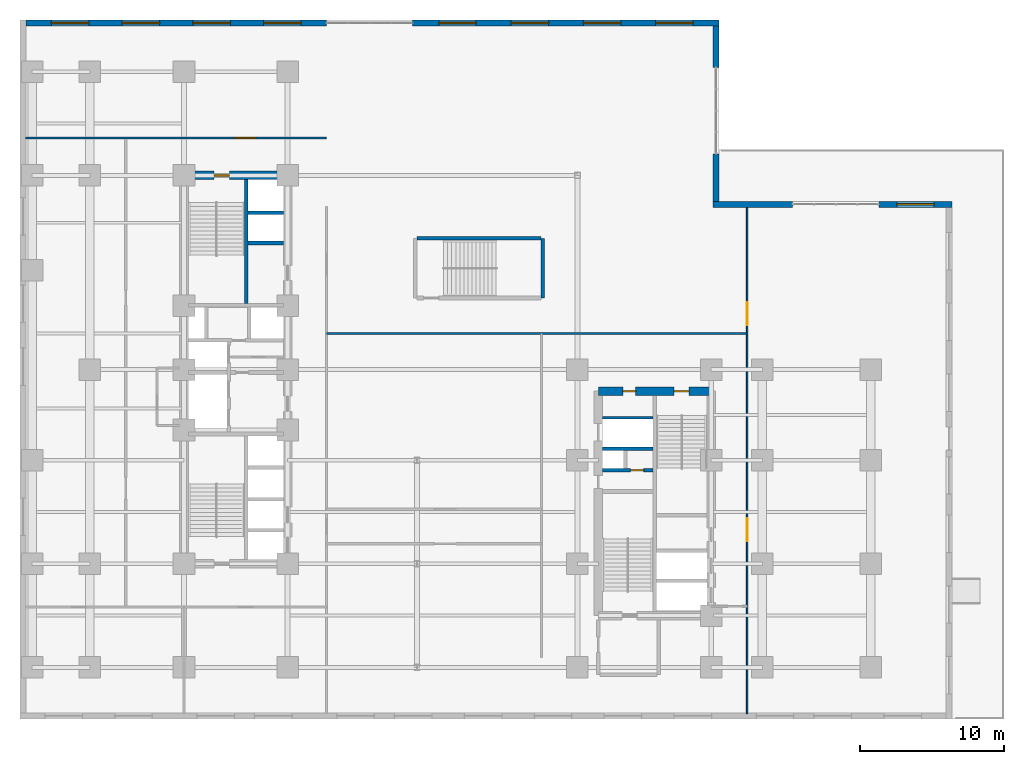
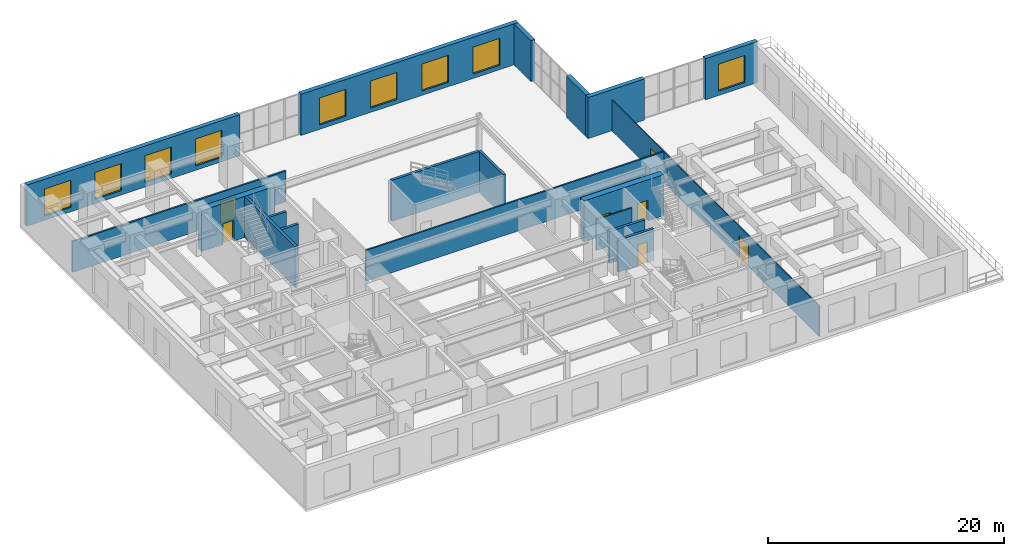
# One storey, part 10 of 15: 19 walls, 9 windows, 7 doors, 16 openings.
"""IFC4 building model written with IfcOpenShell, lengths in metres."""

from ifc_helpers import new_model, entity, si_unit, converted_unit, direction, frame, origin_with_axes, origin_2d_with_axis, place, context, subcontext, project, spatial, polyline, rectangle, outline, extrude, material, layer, layer_set, type_object, element, fill, save


model = new_model("IFC4")

# Units and contexts
model_context = context("Model", 3, precision=1e-05, world=origin_with_axes(), true_north=direction((0.0, 1.0)))
body_context = subcontext(model_context, "Body", "Model", "MODEL_VIEW")
ifc_project = project(units=[si_unit("LENGTHUNIT", "METRE"), si_unit("AREAUNIT", "SQUARE_METRE"), si_unit("VOLUMEUNIT", "CUBIC_METRE"), converted_unit("PLANEANGLEUNIT", "DEGREE", entity("IfcPlaneAngleMeasure", 0.017453292519943295), si_unit("PLANEANGLEUNIT", "RADIAN"), dimensions=[0, 0, 0, 0, 0, 0, 0]), si_unit("MASSUNIT", "GRAM", prefix="KILO"), si_unit("THERMODYNAMICTEMPERATUREUNIT", "KELVIN")], contexts=[model_context])

# Site, building, storey
site_placement = place(None, origin_with_axes())
site = spatial("IfcSite", under=ifc_project, at=site_placement, CompositionType="ELEMENT")
building_placement = place(site_placement, origin_with_axes())
building = spatial("IfcBuilding", under=site, at=building_placement, Name="Varnlund Millrace Tower", CompositionType="ELEMENT")
storey_placement = place(building_placement, frame((0.0, 0.0, 19.8), z_axis=(0.0, 0.0, 1.0), x_axis=(1.0, 0.0, 0.0)))
storey = spatial("IfcBuildingStorey", under=building, at=storey_placement, Name="L04", CompositionType="ELEMENT", Elevation=19.8)

# Wall, opening, door
ifc_material_1 = material(Name="Concrete C80/95", Category="concrete")
ifc_layer_1 = layer(ifc_material_1, 0.6, Name="Concrete C80/95")
ifc_layer_set_1 = layer_set([ifc_layer_1], Name="Concrete C80/95")
wall_type_1 = type_object("IfcWallType", Name="Type-CoreWall-Shear-600-C80", PredefinedType="SHEAR", material=ifc_layer_set_1)
wall_1_placement = place(storey_placement, frame((11.4, 37.8, 0.0), z_axis=(0.0, 0.0, 1.0), x_axis=(1.0, 0.0, 0.0)))
wall_1 = element("IfcWall", 1, at=wall_1_placement, inside=storey, type_object=wall_type_1, Name="Type-CoreWall-Shear-600-C80", PredefinedType="SHEAR", context=body_context, shape_type="SweptSolid", body=[
    extrude(outline(polyline([(0.0, -0.3), (7.2, -0.3), (7.2, 0.3), (0.0, 0.3), (0.0, -0.3)])), origin_with_axes(), (0.0, 0.0, 1.0), 4.26),
])
opening_1_placement = place(wall_1_placement, frame((2.625, 0.0, 0.0), z_axis=(0.0, 0.0, 1.0), x_axis=(1.0, 0.0, 0.0)))
opening_1 = element("IfcOpeningElement", 2, at=opening_1_placement, cuts=wall_1, Name="Opening L04:DR-STA2", PredefinedType="OPENING", context=body_context, shape_type="SweptSolid", body=[
    extrude(rectangle(XDim=1.05, YDim=0.62, at=origin_2d_with_axis()), origin_with_axes(), (0.0, 0.0, 1.0), 2.15),
])
ifc_material_2 = material(Name="Fire-rated hollow steel door", Category="steel")
door_type_1 = type_object("IfcDoorType", Name="Type-FireDoor-Stair-1050X2150", OperationType="NOTDEFINED", PredefinedType="DOOR", material=ifc_material_2)
door_1_placement = place(wall_1_placement, frame((2.625, 0.0, 0.0), z_axis=(0.0, 0.0, 1.0), x_axis=(1.0, 0.0, 0.0)))
door_1 = element("IfcDoor", 3, at=door_1_placement, inside=storey, type_object=door_type_1, Name="Type-FireDoor-Stair-1050X2150", OperationType="SINGLE_SWING_RIGHT", OverallHeight=2.15, OverallWidth=1.05, PredefinedType="DOOR", context=body_context, shape_type="SweptSolid", body=[
    extrude(rectangle(XDim=1.05, YDim=0.09, at=origin_2d_with_axis()), origin_with_axes(), (0.0, 0.0, 1.0), 2.15),
])
fill(opening_1, door_1)

# Wall, openings, doors
wall_2_placement = place(storey_placement, frame((40.2, 22.8, 0.0), z_axis=(0.0, 0.0, 1.0), x_axis=(1.0, 0.0, 0.0)))
wall_2 = element("IfcWall", 4, at=wall_2_placement, inside=storey, type_object=wall_type_1, Name="Type-CoreWall-Shear-600-C80", PredefinedType="SHEAR", context=body_context, shape_type="SweptSolid", body=[
    extrude(outline(polyline([(0.0, -0.3), (7.85, -0.3), (7.85, 0.3), (0.0, 0.3), (0.0, -0.3)])), origin_with_axes(), (0.0, 0.0, 1.0), 4.26),
])
opening_2_placement = place(wall_2_placement, frame((5.775, 0.0, 0.0), z_axis=(0.0, 0.0, 1.0), x_axis=(1.0, 0.0, 0.0)))
opening_2 = element("IfcOpeningElement", 5, at=opening_2_placement, cuts=wall_2, Name="Opening L04:DR-STB2", PredefinedType="OPENING", context=body_context, shape_type="SweptSolid", body=[
    extrude(rectangle(XDim=1.05, YDim=0.62, at=origin_2d_with_axis()), origin_with_axes(), (0.0, 0.0, 1.0), 2.15),
])
opening_3_placement = place(wall_2_placement, frame((2.15, 0.0, 0.0), z_axis=(0.0, 0.0, 1.0), x_axis=(1.0, 0.0, 0.0)))
opening_3 = element("IfcOpeningElement", 6, at=opening_3_placement, cuts=wall_2, Name="Opening L04:DR-CB-NW", PredefinedType="OPENING", context=body_context, shape_type="SweptSolid", body=[
    extrude(rectangle(XDim=0.9, YDim=0.62, at=origin_2d_with_axis()), origin_with_axes(), (0.0, 0.0, 1.0), 2.15),
])
ifc_material_3 = material(Name="Fire-rated hollow steel service closet door", Category="steel")
door_type_2 = type_object("IfcDoorType", Name="Type-FireDoor-Closet-900X2150", OperationType="NOTDEFINED", PredefinedType="DOOR", material=ifc_material_3)
door_2_placement = place(wall_2_placement, frame((2.15, 0.0, 0.0), z_axis=(0.0, 0.0, 1.0), x_axis=(1.0, 0.0, 0.0)))
door_2 = element("IfcDoor", 7, at=door_2_placement, inside=storey, type_object=door_type_2, Name="Type-FireDoor-Closet-900X2150", OperationType="SINGLE_SWING_LEFT", OverallHeight=2.15, OverallWidth=0.9, PredefinedType="DOOR", context=body_context, shape_type="SweptSolid", body=[
    extrude(rectangle(XDim=0.9, YDim=0.09, at=origin_2d_with_axis()), origin_with_axes(), (0.0, 0.0, 1.0), 2.15),
])
fill(opening_3, door_2)
door_3_placement = place(wall_2_placement, frame((5.775, 0.0, 0.0), z_axis=(0.0, 0.0, 1.0), x_axis=(1.0, 0.0, 0.0)))
door_3 = element("IfcDoor", 8, at=door_3_placement, inside=storey, type_object=door_type_1, Name="Type-FireDoor-Stair-1050X2150", OperationType="SINGLE_SWING_RIGHT", OverallHeight=2.15, OverallWidth=1.05, PredefinedType="DOOR", context=body_context, shape_type="SweptSolid", body=[
    extrude(rectangle(XDim=1.05, YDim=0.09, at=origin_2d_with_axis()), origin_with_axes(), (0.0, 0.0, 1.0), 2.15),
])
fill(opening_2, door_3)

# Wall, openings, windows
ifc_material_4 = material(Name="Precast concrete C50/60", Category="concrete")
ifc_layer_2 = layer(ifc_material_4, 0.42, Name="Precast concrete C50/60")
ifc_layer_set_2 = layer_set([ifc_layer_2], Name="Precast concrete C50/60")
wall_type_2 = type_object("IfcWallType", Name="Type-ExtWall-Precast-Pier-420", PredefinedType="SOLIDWALL", material=ifc_layer_set_2)
wall_3_placement = place(storey_placement, frame((0.42, 48.39, 0.0), z_axis=(0.0, 0.0, 1.0), x_axis=(1.0, 0.0, 0.0)))
wall_3 = element("IfcWall", 9, at=wall_3_placement, inside=storey, type_object=wall_type_2, Name="Type-ExtWall-Precast-Pier-420", PredefinedType="SOLIDWALL", context=body_context, shape_type="SweptSolid", body=[
    extrude(outline(polyline([(0.0, -0.21), (20.88, -0.21), (20.88, 0.21), (0.0, 0.21), (0.0, -0.21)])), origin_with_axes(), (0.0, 0.0, 1.0), 4.26),
])
opening_4_placement = place(wall_3_placement, frame((3.06, 0.0, 0.45), z_axis=(0.0, 0.0, 1.0), x_axis=(1.0, 0.0, 0.0)))
opening_4 = element("IfcOpeningElement", 10, at=opening_4_placement, cuts=wall_3, Name="Opening L04:WN-18", PredefinedType="OPENING", context=body_context, shape_type="SweptSolid", body=[
    extrude(rectangle(XDim=2.6, YDim=0.44, at=origin_2d_with_axis()), origin_with_axes(), (0.0, 0.0, 1.0), 2.8),
])
opening_5_placement = place(wall_3_placement, frame((7.98, 0.0, 0.45), z_axis=(0.0, 0.0, 1.0), x_axis=(1.0, 0.0, 0.0)))
opening_5 = element("IfcOpeningElement", 11, at=opening_5_placement, cuts=wall_3, Name="Opening L04:WN-19", PredefinedType="OPENING", context=body_context, shape_type="SweptSolid", body=[
    extrude(rectangle(XDim=2.6, YDim=0.44, at=origin_2d_with_axis()), origin_with_axes(), (0.0, 0.0, 1.0), 2.8),
])
opening_6_placement = place(wall_3_placement, frame((12.9, 0.0, 0.45), z_axis=(0.0, 0.0, 1.0), x_axis=(1.0, 0.0, 0.0)))
opening_6 = element("IfcOpeningElement", 12, at=opening_6_placement, cuts=wall_3, Name="Opening L04:WN-20", PredefinedType="OPENING", context=body_context, shape_type="SweptSolid", body=[
    extrude(rectangle(XDim=2.6, YDim=0.44, at=origin_2d_with_axis()), origin_with_axes(), (0.0, 0.0, 1.0), 2.8),
])
opening_7_placement = place(wall_3_placement, frame((17.82, 0.0, 0.45), z_axis=(0.0, 0.0, 1.0), x_axis=(1.0, 0.0, 0.0)))
opening_7 = element("IfcOpeningElement", 13, at=opening_7_placement, cuts=wall_3, Name="Opening L04:WN-21", PredefinedType="OPENING", context=body_context, shape_type="SweptSolid", body=[
    extrude(rectangle(XDim=2.6, YDim=0.44, at=origin_2d_with_axis()), origin_with_axes(), (0.0, 0.0, 1.0), 2.8),
])
ifc_material_5 = material(Name="Argon low-e triple glazing in thermally broken bronze frame", Category="glass")
window_type = type_object("IfcWindowType", Name="Type-Window-Podium-2600X2800", PartitioningType="SINGLE_PANEL", PredefinedType="WINDOW", material=ifc_material_5)
window_1_placement = place(wall_3_placement, frame((3.06, 0.0, 0.45), z_axis=(0.0, 0.0, 1.0), x_axis=(1.0, 0.0, 0.0)))
window_1 = element("IfcWindow", 14, at=window_1_placement, inside=storey, type_object=window_type, Name="Type-Window-Podium-2600X2800", OverallHeight=2.8, OverallWidth=2.6, PredefinedType="WINDOW", context=body_context, shape_type="SweptSolid", body=[
    extrude(rectangle(XDim=2.6, YDim=0.09, at=origin_2d_with_axis()), origin_with_axes(), (0.0, 0.0, 1.0), 2.8),
])
fill(opening_4, window_1)
window_2_placement = place(wall_3_placement, frame((7.98, 0.0, 0.45), z_axis=(0.0, 0.0, 1.0), x_axis=(1.0, 0.0, 0.0)))
window_2 = element("IfcWindow", 15, at=window_2_placement, inside=storey, type_object=window_type, Name="Type-Window-Podium-2600X2800", OverallHeight=2.8, OverallWidth=2.6, PredefinedType="WINDOW", context=body_context, shape_type="SweptSolid", body=[
    extrude(rectangle(XDim=2.6, YDim=0.09, at=origin_2d_with_axis()), origin_with_axes(), (0.0, 0.0, 1.0), 2.8),
])
fill(opening_5, window_2)
window_3_placement = place(wall_3_placement, frame((12.9, 0.0, 0.45), z_axis=(0.0, 0.0, 1.0), x_axis=(1.0, 0.0, 0.0)))
window_3 = element("IfcWindow", 16, at=window_3_placement, inside=storey, type_object=window_type, Name="Type-Window-Podium-2600X2800", OverallHeight=2.8, OverallWidth=2.6, PredefinedType="WINDOW", context=body_context, shape_type="SweptSolid", body=[
    extrude(rectangle(XDim=2.6, YDim=0.09, at=origin_2d_with_axis()), origin_with_axes(), (0.0, 0.0, 1.0), 2.8),
])
fill(opening_6, window_3)
window_4_placement = place(wall_3_placement, frame((17.82, 0.0, 0.45), z_axis=(0.0, 0.0, 1.0), x_axis=(1.0, 0.0, 0.0)))
window_4 = element("IfcWindow", 17, at=window_4_placement, inside=storey, type_object=window_type, Name="Type-Window-Podium-2600X2800", OverallHeight=2.8, OverallWidth=2.6, PredefinedType="WINDOW", context=body_context, shape_type="SweptSolid", body=[
    extrude(rectangle(XDim=2.6, YDim=0.09, at=origin_2d_with_axis()), origin_with_axes(), (0.0, 0.0, 1.0), 2.8),
])
fill(opening_7, window_4)

wall_4_placement = place(storey_placement, frame((27.3, 48.39, 0.0), z_axis=(0.0, 0.0, 1.0), x_axis=(1.0, 0.0, 0.0)))
wall_4 = element("IfcWall", 18, at=wall_4_placement, inside=storey, type_object=wall_type_2, Name="Type-ExtWall-Precast-Pier-420", PredefinedType="SOLIDWALL", context=body_context, shape_type="SweptSolid", body=[
    extrude(outline(polyline([(0.0, -0.21), (21.3, -0.21), (21.3, 0.21), (0.0, 0.21), (0.0, -0.21)])), origin_with_axes(), (0.0, 0.0, 1.0), 4.26),
])
opening_8_placement = place(wall_4_placement, frame((3.113, 0.0, 0.45), z_axis=(0.0, 0.0, 1.0), x_axis=(1.0, 0.0, 0.0)))
opening_8 = element("IfcOpeningElement", 19, at=opening_8_placement, cuts=wall_4, Name="Opening L04:WN-22", PredefinedType="OPENING", context=body_context, shape_type="SweptSolid", body=[
    extrude(rectangle(XDim=2.6, YDim=0.44, at=origin_2d_with_axis()), origin_with_axes(), (0.0, 0.0, 1.0), 2.8),
])
opening_9_placement = place(wall_4_placement, frame((8.138, 0.0, 0.45), z_axis=(0.0, 0.0, 1.0), x_axis=(1.0, 0.0, 0.0)))
opening_9 = element("IfcOpeningElement", 20, at=opening_9_placement, cuts=wall_4, Name="Opening L04:WN-23", PredefinedType="OPENING", context=body_context, shape_type="SweptSolid", body=[
    extrude(rectangle(XDim=2.6, YDim=0.44, at=origin_2d_with_axis()), origin_with_axes(), (0.0, 0.0, 1.0), 2.8),
])
opening_10_placement = place(wall_4_placement, frame((13.162, 0.0, 0.45), z_axis=(0.0, 0.0, 1.0), x_axis=(1.0, 0.0, 0.0)))
opening_10 = element("IfcOpeningElement", 21, at=opening_10_placement, cuts=wall_4, Name="Opening L04:WN-24", PredefinedType="OPENING", context=body_context, shape_type="SweptSolid", body=[
    extrude(rectangle(XDim=2.6, YDim=0.44, at=origin_2d_with_axis()), origin_with_axes(), (0.0, 0.0, 1.0), 2.8),
])
opening_11_placement = place(wall_4_placement, frame((18.188, 0.0, 0.45), z_axis=(0.0, 0.0, 1.0), x_axis=(1.0, 0.0, 0.0)))
opening_11 = element("IfcOpeningElement", 22, at=opening_11_placement, cuts=wall_4, Name="Opening L04:WN-25", PredefinedType="OPENING", context=body_context, shape_type="SweptSolid", body=[
    extrude(rectangle(XDim=2.6, YDim=0.44, at=origin_2d_with_axis()), origin_with_axes(), (0.0, 0.0, 1.0), 2.8),
])
window_5_placement = place(wall_4_placement, frame((3.113, 0.0, 0.45), z_axis=(0.0, 0.0, 1.0), x_axis=(1.0, 0.0, 0.0)))
window_5 = element("IfcWindow", 23, at=window_5_placement, inside=storey, type_object=window_type, Name="Type-Window-Podium-2600X2800", OverallHeight=2.8, OverallWidth=2.6, PredefinedType="WINDOW", context=body_context, shape_type="SweptSolid", body=[
    extrude(rectangle(XDim=2.6, YDim=0.09, at=origin_2d_with_axis()), origin_with_axes(), (0.0, 0.0, 1.0), 2.8),
])
fill(opening_8, window_5)
window_6_placement = place(wall_4_placement, frame((8.138, 0.0, 0.45), z_axis=(0.0, 0.0, 1.0), x_axis=(1.0, 0.0, 0.0)))
window_6 = element("IfcWindow", 24, at=window_6_placement, inside=storey, type_object=window_type, Name="Type-Window-Podium-2600X2800", OverallHeight=2.8, OverallWidth=2.6, PredefinedType="WINDOW", context=body_context, shape_type="SweptSolid", body=[
    extrude(rectangle(XDim=2.6, YDim=0.09, at=origin_2d_with_axis()), origin_with_axes(), (0.0, 0.0, 1.0), 2.8),
])
fill(opening_9, window_6)
window_7_placement = place(wall_4_placement, frame((13.162, 0.0, 0.45), z_axis=(0.0, 0.0, 1.0), x_axis=(1.0, 0.0, 0.0)))
window_7 = element("IfcWindow", 25, at=window_7_placement, inside=storey, type_object=window_type, Name="Type-Window-Podium-2600X2800", OverallHeight=2.8, OverallWidth=2.6, PredefinedType="WINDOW", context=body_context, shape_type="SweptSolid", body=[
    extrude(rectangle(XDim=2.6, YDim=0.09, at=origin_2d_with_axis()), origin_with_axes(), (0.0, 0.0, 1.0), 2.8),
])
fill(opening_10, window_7)
window_8_placement = place(wall_4_placement, frame((18.188, 0.0, 0.45), z_axis=(0.0, 0.0, 1.0), x_axis=(1.0, 0.0, 0.0)))
window_8 = element("IfcWindow", 26, at=window_8_placement, inside=storey, type_object=window_type, Name="Type-Window-Podium-2600X2800", OverallHeight=2.8, OverallWidth=2.6, PredefinedType="WINDOW", context=body_context, shape_type="SweptSolid", body=[
    extrude(rectangle(XDim=2.6, YDim=0.09, at=origin_2d_with_axis()), origin_with_axes(), (0.0, 0.0, 1.0), 2.8),
])
fill(opening_11, window_8)

# Walls
wall_5_placement = place(storey_placement, frame((48.39, 48.18, 0.0), z_axis=(0.0, 0.0, 1.0), x_axis=(0.0, -1.0, 0.0)))
element("IfcWall", 27, at=wall_5_placement, inside=storey, type_object=wall_type_2, Name="Type-ExtWall-Precast-Pier-420", PredefinedType="SOLIDWALL", context=body_context, shape_type="SweptSolid", body=[
    extrude(outline(polyline([(0.0, -0.21), (2.88, -0.21), (2.88, 0.21), (0.0, 0.21), (0.0, -0.21)])), origin_with_axes(), (0.0, 0.0, 1.0), 4.26),
])
wall_6_placement = place(storey_placement, frame((48.39, 39.3, 0.0), z_axis=(0.0, 0.0, 1.0), x_axis=(0.0, -1.0, 0.0)))
element("IfcWall", 28, at=wall_6_placement, inside=storey, type_object=wall_type_2, Name="Type-ExtWall-Precast-Pier-420", PredefinedType="SOLIDWALL", context=body_context, shape_type="SweptSolid", body=[
    extrude(outline(polyline([(0.0, -0.21), (3.3, -0.21), (3.3, 0.21), (0.0, 0.21), (0.0, -0.21)])), origin_with_axes(), (0.0, 0.0, 1.0), 4.26),
])
wall_7_placement = place(storey_placement, frame((48.18, 35.79, 0.0), z_axis=(0.0, 0.0, 1.0), x_axis=(1.0, 0.0, 0.0)))
element("IfcWall", 29, at=wall_7_placement, inside=storey, type_object=wall_type_2, Name="Type-ExtWall-Precast-Pier-420", PredefinedType="SOLIDWALL", context=body_context, shape_type="SweptSolid", body=[
    extrude(outline(polyline([(0.0, -0.21), (5.52, -0.21), (5.52, 0.21), (0.0, 0.21), (0.0, -0.21)])), origin_with_axes(), (0.0, 0.0, 1.0), 4.26),
])

# Wall, opening, window
wall_8_placement = place(storey_placement, frame((59.7, 35.79, 0.0), z_axis=(0.0, 0.0, 1.0), x_axis=(1.0, 0.0, 0.0)))
wall_8 = element("IfcWall", 30, at=wall_8_placement, inside=storey, type_object=wall_type_2, Name="Type-ExtWall-Precast-Pier-420", PredefinedType="SOLIDWALL", context=body_context, shape_type="SweptSolid", body=[
    extrude(outline(polyline([(0.0, -0.21), (5.1, -0.21), (5.1, 0.21), (0.0, 0.21), (0.0, -0.21)])), origin_with_axes(), (0.0, 0.0, 1.0), 4.26),
])
opening_12_placement = place(wall_8_placement, frame((2.55, 0.0, 0.45), z_axis=(0.0, 0.0, 1.0), x_axis=(1.0, 0.0, 0.0)))
opening_12 = element("IfcOpeningElement", 31, at=opening_12_placement, cuts=wall_8, Name="Opening L04:WN-26", PredefinedType="OPENING", context=body_context, shape_type="SweptSolid", body=[
    extrude(rectangle(XDim=2.6, YDim=0.44, at=origin_2d_with_axis()), origin_with_axes(), (0.0, 0.0, 1.0), 2.8),
])
window_9_placement = place(wall_8_placement, frame((2.55, 0.0, 0.45), z_axis=(0.0, 0.0, 1.0), x_axis=(1.0, 0.0, 0.0)))
window_9 = element("IfcWindow", 32, at=window_9_placement, inside=storey, type_object=window_type, Name="Type-Window-Podium-2600X2800", OverallHeight=2.8, OverallWidth=2.6, PredefinedType="WINDOW", context=body_context, shape_type="SweptSolid", body=[
    extrude(rectangle(XDim=2.6, YDim=0.09, at=origin_2d_with_axis()), origin_with_axes(), (0.0, 0.0, 1.0), 2.8),
])
fill(opening_12, window_9)

# Wall
ifc_material_6 = material(Name="Fire-rated gypsum board on cold-formed steel framing", Category="steel")
ifc_layer_3 = layer(ifc_material_6, 0.16, Name="Fire-rated gypsum board on cold-formed steel framing")
ifc_layer_set_3 = layer_set([ifc_layer_3], Name="Fire-rated gypsum board on cold-formed steel framing")
wall_type_3 = type_object("IfcWallType", Name="Type-Partition-Corridor-160", PredefinedType="PARTITIONING", material=ifc_layer_set_3)
wall_9_placement = place(storey_placement, frame((40.5, 20.96, 0.0), z_axis=(0.0, 0.0, 1.0), x_axis=(1.0, 0.0, 0.0)))
element("IfcWall", 33, at=wall_9_placement, inside=storey, type_object=wall_type_3, Name="Type-Partition-Corridor-160", PredefinedType="PARTITIONING", context=body_context, shape_type="SweptSolid", body=[
    extrude(outline(polyline([(0.0, -0.08), (3.5, -0.08), (3.5, 0.08), (0.0, 0.08), (0.0, -0.08)])), origin_with_axes(), (0.0, 0.0, 1.0), 3.2),
])

# Wall, opening, door
wall_10_placement = place(storey_placement, frame((0.38, 40.4, 0.0), z_axis=(0.0, 0.0, 1.0), x_axis=(1.0, 0.0, 0.0)))
wall_10 = element("IfcWall", 34, at=wall_10_placement, inside=storey, type_object=wall_type_3, Name="Type-Partition-Corridor-160", PredefinedType="PARTITIONING", context=body_context, shape_type="SweptSolid", body=[
    extrude(outline(polyline([(0.0, -0.08), (20.92, -0.08), (20.92, 0.08), (0.0, 0.08), (0.0, -0.08)])), origin_with_axes(), (0.0, 0.0, 1.0), 3.2),
])
opening_13_placement = place(wall_10_placement, frame((15.25, 0.0, 0.0), z_axis=(0.0, 0.0, 1.0), x_axis=(1.0, 0.0, 0.0)))
opening_13 = element("IfcOpeningElement", 35, at=opening_13_placement, cuts=wall_10, Name="Opening L04:DR-POD-NW", PredefinedType="OPENING", context=body_context, shape_type="SweptSolid", body=[
    extrude(rectangle(XDim=1.5, YDim=0.18, at=origin_2d_with_axis()), origin_with_axes(), (0.0, 0.0, 1.0), 2.2),
])
ifc_material_7 = material(Name="Architectural bronze and acoustic glass double door", Category="glass")
door_type_3 = type_object("IfcDoorType", Name="Type-IntDoor-SuitePair-1500X2200", OperationType="NOTDEFINED", PredefinedType="DOOR", material=ifc_material_7)
door_4_placement = place(wall_10_placement, frame((15.25, 0.0, 0.0), z_axis=(0.0, 0.0, 1.0), x_axis=(1.0, 0.0, 0.0)))
door_4 = element("IfcDoor", 36, at=door_4_placement, inside=storey, type_object=door_type_3, Name="Type-IntDoor-SuitePair-1500X2200", OperationType="DOUBLE_DOOR_SINGLE_SWING", OverallHeight=2.2, OverallWidth=1.5, PredefinedType="DOOR", context=body_context, shape_type="SweptSolid", body=[
    extrude(rectangle(XDim=1.5, YDim=0.09, at=origin_2d_with_axis()), origin_with_axes(), (0.0, 0.0, 1.0), 2.2),
])
fill(opening_13, door_4)

# Wall
ifc_material_8 = material(Name="Acoustic STC-50 gypsum board partition", Category="gypsum")
ifc_layer_4 = layer(ifc_material_8, 0.15, Name="Acoustic STC-50 gypsum board partition")
ifc_layer_set_4 = layer_set([ifc_layer_4], Name="Acoustic STC-50 gypsum board partition")
wall_type_4 = type_object("IfcWallType", Name="Type-Partition-Demising-150", PredefinedType="PARTITIONING", material=ifc_layer_set_4)
wall_11_placement = place(storey_placement, frame((21.3, 26.8, 0.0), z_axis=(0.0, 0.0, 1.0), x_axis=(1.0, 0.0, 0.0)))
element("IfcWall", 37, at=wall_11_placement, inside=storey, type_object=wall_type_4, Name="Type-Partition-Demising-150", PredefinedType="PARTITIONING", context=body_context, shape_type="SweptSolid", body=[
    extrude(outline(polyline([(0.0, -0.075), (29.25, -0.075), (29.25, 0.075), (0.0, 0.075), (0.0, -0.075)])), origin_with_axes(), (0.0, 0.0, 1.0), 3.2),
])

# Wall, openings, doors
ifc_material_9 = material(Name="Architectural bronze and acoustic glass office front", Category="glass")
ifc_layer_5 = layer(ifc_material_9, 0.1, Name="Architectural bronze and acoustic glass office front")
ifc_layer_set_5 = layer_set([ifc_layer_5], Name="Architectural bronze and acoustic glass office front")
wall_type_5 = type_object("IfcWallType", Name="Type-Partition-Glazed-100", PredefinedType="PARTITIONING", material=ifc_layer_set_5)
wall_12_placement = place(storey_placement, frame((50.55, 0.38, 0.0), z_axis=(0.0, 0.0, 1.0), x_axis=(0.0, 1.0, 0.0)))
wall_12 = element("IfcWall", 38, at=wall_12_placement, inside=storey, type_object=wall_type_5, Name="Type-Partition-Glazed-100", PredefinedType="PARTITIONING", context=body_context, shape_type="SweptSolid", body=[
    extrude(outline(polyline([(0.0, -0.05), (35.24, -0.05), (35.24, 0.05), (0.0, 0.05), (0.0, -0.05)])), origin_with_axes(), (0.0, 0.0, 1.0), 3.2),
])
opening_14_placement = place(wall_12_placement, frame((12.8, 0.0, 0.0), z_axis=(0.0, 0.0, 1.0), x_axis=(1.0, 0.0, 0.0)))
opening_14 = element("IfcOpeningElement", 39, at=opening_14_placement, cuts=wall_12, Name="Opening L04:DR-POD-RV1", PredefinedType="OPENING", context=body_context, shape_type="SweptSolid", body=[
    extrude(rectangle(XDim=1.6, YDim=0.12, at=origin_2d_with_axis()), origin_with_axes(), (0.0, 0.0, 1.0), 2.2),
])
opening_15_placement = place(wall_12_placement, frame((27.8, 0.0, 0.0), z_axis=(0.0, 0.0, 1.0), x_axis=(1.0, 0.0, 0.0)))
opening_15 = element("IfcOpeningElement", 40, at=opening_15_placement, cuts=wall_12, Name="Opening L04:DR-POD-RV2", PredefinedType="OPENING", context=body_context, shape_type="SweptSolid", body=[
    extrude(rectangle(XDim=1.6, YDim=0.12, at=origin_2d_with_axis()), origin_with_axes(), (0.0, 0.0, 1.0), 2.2),
])
ifc_material_10 = material(Name="Architectural bronze concourse double door")
door_type_4 = type_object("IfcDoorType", Name="Type-IntDoor-SuitePair-1600X2200", OperationType="NOTDEFINED", PredefinedType="DOOR", material=ifc_material_10)
door_5_placement = place(wall_12_placement, frame((12.8, 0.0, 0.0), z_axis=(0.0, 0.0, 1.0), x_axis=(1.0, 0.0, 0.0)))
door_5 = element("IfcDoor", 41, at=door_5_placement, inside=storey, type_object=door_type_4, Name="Type-IntDoor-SuitePair-1600X2200", OperationType="DOUBLE_DOOR_SINGLE_SWING", OverallHeight=2.2, OverallWidth=1.6, PredefinedType="DOOR", context=body_context, shape_type="SweptSolid", body=[
    extrude(rectangle(XDim=1.6, YDim=0.06, at=origin_2d_with_axis()), origin_with_axes(), (0.0, 0.0, 1.0), 2.2),
])
fill(opening_14, door_5)
door_6_placement = place(wall_12_placement, frame((27.8, 0.0, 0.0), z_axis=(0.0, 0.0, 1.0), x_axis=(1.0, 0.0, 0.0)))
door_6 = element("IfcDoor", 42, at=door_6_placement, inside=storey, type_object=door_type_4, Name="Type-IntDoor-SuitePair-1600X2200", OperationType="DOUBLE_DOOR_SINGLE_SWING", OverallHeight=2.2, OverallWidth=1.6, PredefinedType="DOOR", context=body_context, shape_type="SweptSolid", body=[
    extrude(rectangle(XDim=1.6, YDim=0.06, at=origin_2d_with_axis()), origin_with_axes(), (0.0, 0.0, 1.0), 2.2),
])
fill(opening_15, door_6)

# Wall, opening, door
ifc_material_11 = material(Name="Concrete C60/75", Category="concrete")
ifc_layer_6 = layer(ifc_material_11, 0.25, Name="Concrete C60/75")
ifc_layer_set_6 = layer_set([ifc_layer_6], Name="Concrete C60/75")
wall_type_6 = type_object("IfcWallType", Name="Type-ShaftWall-Fire-250", PredefinedType="SOLIDWALL", material=ifc_layer_set_6)
wall_13_placement = place(storey_placement, frame((40.5, 17.3, 0.0), z_axis=(0.0, 0.0, 1.0), x_axis=(1.0, 0.0, 0.0)))
wall_13 = element("IfcWall", 43, at=wall_13_placement, inside=storey, type_object=wall_type_6, Name="Type-ShaftWall-Fire-250", PredefinedType="SOLIDWALL", context=body_context, shape_type="SweptSolid", body=[
    extrude(outline(polyline([(0.0, -0.125), (3.5, -0.125), (3.5, 0.125), (0.0, 0.125), (0.0, -0.125)])), origin_with_axes(), (0.0, 0.0, 1.0), 3.3),
])
opening_16_placement = place(wall_13_placement, frame((2.4, 0.0, 0.0), z_axis=(0.0, 0.0, 1.0), x_axis=(1.0, 0.0, 0.0)))
opening_16 = element("IfcOpeningElement", 44, at=opening_16_placement, cuts=wall_13, Name="Opening L04:DR-CB-ELC", PredefinedType="OPENING", context=body_context, shape_type="SweptSolid", body=[
    extrude(rectangle(XDim=0.9, YDim=0.27, at=origin_2d_with_axis()), origin_with_axes(), (0.0, 0.0, 1.0), 2.15),
])
door_7_placement = place(wall_13_placement, frame((2.4, 0.0, 0.0), z_axis=(0.0, 0.0, 1.0), x_axis=(1.0, 0.0, 0.0)))
door_7 = element("IfcDoor", 45, at=door_7_placement, inside=storey, type_object=door_type_2, Name="Type-FireDoor-Closet-900X2150", OperationType="SINGLE_SWING_LEFT", OverallHeight=2.15, OverallWidth=0.9, PredefinedType="DOOR", context=body_context, shape_type="SweptSolid", body=[
    extrude(rectangle(XDim=0.9, YDim=0.09, at=origin_2d_with_axis()), origin_with_axes(), (0.0, 0.0, 1.0), 2.15),
])
fill(opening_16, door_7)

# Walls
wall_14_placement = place(storey_placement, frame((40.5, 18.8, 0.0), z_axis=(0.0, 0.0, 1.0), x_axis=(1.0, 0.0, 0.0)))
element("IfcWall", 46, at=wall_14_placement, inside=storey, type_object=wall_type_6, Name="Type-ShaftWall-Fire-250", PredefinedType="SOLIDWALL", context=body_context, shape_type="SweptSolid", body=[
    extrude(outline(polyline([(0.0, -0.125), (3.5, -0.125), (3.5, 0.125), (0.0, 0.125), (0.0, -0.125)])), origin_with_axes(), (0.0, 0.0, 1.0), 3.3),
])
for number, where, z_axis, x_axis, name in (
    (47, (15.84, 33.1, 0.0), (0.0, 0.0, 1.0), (1.0, 0.0, 0.0), "Type-ShaftWall-Fire-250"),
    (48, (15.84, 35.2, 0.0), (0.0, 0.0, 1.0), (1.0, 0.0, 0.0), "Type-ShaftWall-Fire-250"),
):
    element("IfcWall", number, at=place(storey_placement, frame(where, z_axis=z_axis, x_axis=x_axis)), inside=storey, type_object=wall_type_6, Name=name, PredefinedType="SOLIDWALL", context=body_context, shape_type="SweptSolid", body=[
        extrude(outline(polyline([(0.0, -0.125), (2.46, -0.125), (2.46, 0.125), (0.0, 0.125), (0.0, -0.125)])), origin_with_axes(), (0.0, 0.0, 1.0), 3.2),
    ])
wall_type_7 = type_object("IfcWallType", Name="Type-StairWall-Shear-250", PredefinedType="SHEAR", material=ifc_layer_set_6)
wall_15_placement = place(storey_placement, frame((15.725, 28.9, 0.0), z_axis=(0.0, 0.0, 1.0), x_axis=(0.0, 1.0, 0.0)))
element("IfcWall", 49, at=wall_15_placement, inside=storey, type_object=wall_type_7, Name="Type-StairWall-Shear-250", PredefinedType="SHEAR", context=body_context, shape_type="SweptSolid", body=[
    extrude(outline(polyline([(0.0, -0.125), (8.6, -0.125), (8.6, 0.125), (0.0, 0.125), (0.0, -0.125)])), origin_with_axes(), (0.0, 0.0, 1.0), 4.26),
])
wall_16_placement = place(storey_placement, frame((36.325, 29.275, 0.0), z_axis=(0.0, 0.0, 1.0), x_axis=(0.0, 1.0, 0.0)))
element("IfcWall", 50, at=wall_16_placement, inside=storey, type_object=wall_type_7, Name="Type-StairWall-Shear-250", PredefinedType="SHEAR", context=body_context, shape_type="SweptSolid", body=[
    extrude(outline(polyline([(0.0, -0.125), (4.15, -0.125), (4.15, 0.125), (0.0, 0.125), (0.0, -0.125)])), origin_with_axes(), (0.0, 0.0, 1.0), 4.26),
])
wall_17_placement = place(storey_placement, frame((27.6, 33.425, 0.0), z_axis=(0.0, 0.0, 1.0), x_axis=(1.0, 0.0, 0.0)))
element("IfcWall", 51, at=wall_17_placement, inside=storey, type_object=wall_type_7, Name="Type-StairWall-Shear-250", PredefinedType="SHEAR", context=body_context, shape_type="SweptSolid", body=[
    extrude(outline(polyline([(0.0, -0.125), (8.6, -0.125), (8.6, 0.125), (0.0, 0.125), (0.0, -0.125)])), origin_with_axes(), (0.0, 0.0, 1.0), 4.26),
])

save(model, "model.ifc")
